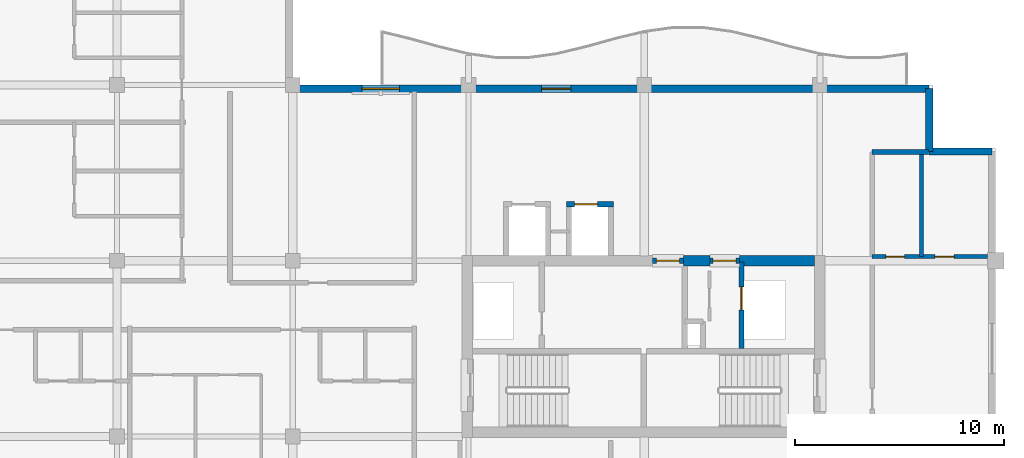
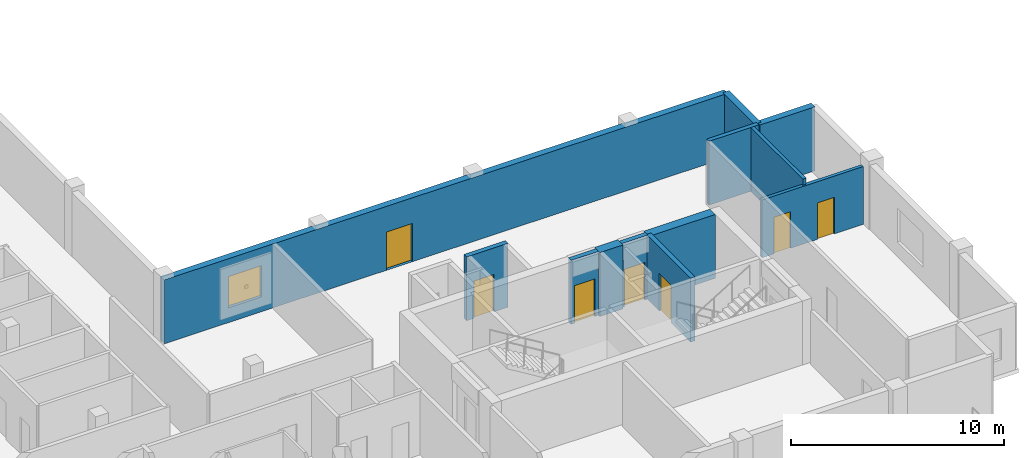
# One storey, part 5 of 12: 12 walls, 7 doors, 1 window, 8 openings.
"""IFC4 building model written with IfcOpenShell, lengths in metres."""

from ifc_helpers import new_model, si_unit, direction, frame, frame_2d, origin, place, context, subcontext, project, spatial, rectangle, extrude, material, layer, layer_set, type_object, element, fill, save


model = new_model("IFC4")

# Units and contexts
model_context = context("Model", 3, precision=1e-05, world=origin(), true_north=direction((0.0, 1.0)))
body_context = subcontext(model_context, "Body", "Model", "MODEL_VIEW")
ifc_project = project(units=[si_unit("LENGTHUNIT", "METRE"), si_unit("AREAUNIT", "SQUARE_METRE"), si_unit("VOLUMEUNIT", "CUBIC_METRE"), si_unit("PLANEANGLEUNIT", "RADIAN"), si_unit("MASSUNIT", "GRAM", prefix="KILO")], contexts=[model_context])

# Site, building, storey
site_placement = place(None, origin())
site = spatial("IfcSite", under=ifc_project, at=site_placement, CompositionType="ELEMENT")
building_placement = place(site_placement, origin())
building = spatial("IfcBuilding", under=site, at=building_placement, Name="Koriwani Terraces Tower", CompositionType="ELEMENT")
storey_placement = place(building_placement, frame((0.0, 0.0, 328.10009765625)))
storey = spatial("IfcBuildingStorey", under=building, at=storey_placement, Name="L81", CompositionType="ELEMENT", Elevation=328.10009765625)

# Walls
ifc_material_1 = material(Name="Concrete C50/60", Category="concrete")
ifc_layer_1 = layer(ifc_material_1, 0.5, Name="Concrete C50/60")
ifc_layer_set_1 = layer_set([ifc_layer_1], Name="Concrete C50/60")
wall_type_1 = type_object("IfcWallType", Name="WALL_CORE_RC_500", PredefinedType="SHEAR", material=ifc_layer_set_1)
wall_1_placement = place(storey_placement, frame((52.280029296875, 25.199951171875, 0.0), z_axis=(0.0, 0.0, 1.0), x_axis=(1.0, 0.0, 0.0)))
element("IfcWall", 1, at=wall_1_placement, inside=storey, type_object=wall_type_1, Name="L81 East Split Core Shear Wall N2", PredefinedType="SHEAR", context=body_context, shape_type="SweptSolid", body=[
    extrude(rectangle(XDim=1.27001953125, YDim=0.5, at=frame_2d((0.635009765625, 0.0))), origin(), (0.0, 0.0, 1.0), 3.669921875),
])
wall_2_placement = place(storey_placement, frame((54.949951171875, 25.199951171875, 0.0), z_axis=(0.0, 0.0, 1.0), x_axis=(1.0, 0.0, 0.0)))
element("IfcWall", 2, at=wall_2_placement, inside=storey, type_object=wall_type_1, Name="L81 East Split Core Shear Wall N3", PredefinedType="SHEAR", context=body_context, shape_type="SweptSolid", body=[
    extrude(rectangle(XDim=3.60009765625, YDim=0.5, at=frame_2d((1.800048828125, 0.0))), origin(), (0.0, 0.0, 1.0), 3.669921875),
])
ifc_material_2 = material(Name="Autoclaved Cellular Concrete Blockwork", Category="masonry")
ifc_layer_2 = layer(ifc_material_2, 0.219970703125, Name="Autoclaved Cellular Concrete Blockwork")
ifc_layer_set_2 = layer_set([ifc_layer_2], Name="Autoclaved Cellular Concrete Blockwork")
wall_type_2 = type_object("IfcWallType", Name="WALL_DEMISING_220", PredefinedType="PARTITIONING", material=ifc_layer_set_2)
wall_3_placement = place(storey_placement, frame((61.300048828125, 30.39990234375, 0.0), z_axis=(0.0, 0.0, 1.0), x_axis=(1.0, 0.0, 0.0)))
element("IfcWall", 3, at=wall_3_placement, inside=storey, type_object=wall_type_2, Name="L81 Interior Wall WET-N-L81", PredefinedType="PARTITIONING", context=body_context, shape_type="SweptSolid", body=[
    extrude(rectangle(XDim=2.699951171875, YDim=0.219970703125, at=frame_2d((1.35009765625, 0.0))), origin(), (0.0, 0.0, 1.0), 3.669921875),
])

# Wall, openings, door, window
ifc_layer_3 = layer(ifc_material_1, 0.35009765625, Name="Concrete C50/60")
ifc_layer_set_3 = layer_set([ifc_layer_3], Name="Concrete C50/60")
wall_type_3 = type_object("IfcWallType", Name="WALL_EXT_BRUTALIST_350", PredefinedType="STANDARD", material=ifc_layer_set_3)
wall_4_placement = place(storey_placement, frame((33.425048828125, 33.425048828125, 0.0), z_axis=(0.0, 0.0, 1.0), x_axis=(1.0, 0.0, 0.0)))
wall_4 = element("IfcWall", 4, at=wall_4_placement, inside=storey, type_object=wall_type_3, Name="L81 Fair-Faced Brutalist Exterior Wall (NE)", PredefinedType="STANDARD", context=body_context, shape_type="SweptSolid", body=[
    extrude(rectangle(XDim=30.599853515625, YDim=0.35009765625, at=frame_2d((15.2998046875, 0.0))), origin(), (0.0, 0.0, 1.0), 3.669921875),
])
opening_1_placement = place(wall_4_placement, frame((12.074951171875, 0.0, 0.0)))
opening_1 = element("IfcOpeningElement", 5, at=opening_1_placement, cuts=wall_4, Name="Opening D-09", PredefinedType="OPENING", context=body_context, shape_type="SweptSolid", body=[
    extrude(rectangle(XDim=1.39990234375, YDim=2.199951171875, at=frame_2d((0.699951171875, 1.10009765625))), frame((0.0, 0.18505859375, 0.0), z_axis=(0.0, -1.0, 0.0), x_axis=(1.0, 0.0, 0.0)), (0.0, 0.0, 1.0), 0.3701171875),
])
opening_2_placement = place(wall_4_placement, frame((3.47509765625, 0.0, 0.85009765625)))
opening_2 = element("IfcOpeningElement", 6, at=opening_2_placement, cuts=wall_4, Name="Opening W-04", PredefinedType="OPENING", context=body_context, shape_type="SweptSolid", body=[
    extrude(rectangle(XDim=1.800048828125, YDim=1.800048828125, at=frame_2d((0.89990234375, 0.89990234375))), frame((0.0, 0.18505859375, 0.0), z_axis=(0.0, -1.0, 0.0), x_axis=(1.0, 0.0, 0.0)), (0.0, 0.0, 1.0), 0.3701171875),
])
ifc_material_3 = material(Name="Anodised Bronze Aluminium", Category="aluminium")
door_type_1 = type_object("IfcDoorType", Name="DOOR_BALCONY_GLAZED_1400X2200", OperationType="NOTDEFINED", PredefinedType="DOOR", material=ifc_material_3)
door_1_placement = place(opening_1_placement, origin())
door_1 = element("IfcDoor", 7, at=door_1_placement, inside=storey, type_object=door_type_1, Name="L81 Inner Court Balcony Glazed Door", OperationType="SINGLE_SWING_LEFT", OverallHeight=2.199951171875, OverallWidth=1.39990234375, PredefinedType="DOOR", context=body_context, shape_type="SweptSolid", body=[
    extrude(rectangle(XDim=1.39990234375, YDim=2.199951171875, at=frame_2d((0.699951171875, 1.10009765625))), frame((0.0, 0.02490234375, 0.0), z_axis=(0.0, -1.0, 0.0), x_axis=(1.0, 0.0, 0.0)), (0.0, 0.0, 1.0), 0.050048828125),
])
fill(opening_1, door_1)
ifc_material_4 = material(Name="Tempered Laminated Low-E Glass", Category="glass")
window_type = type_object("IfcWindowType", Name="WIN_RES_BED_1800X1800", PartitioningType="DOUBLE_PANEL_VERTICAL", PredefinedType="WINDOW", material=ifc_material_4)
window_placement = place(opening_2_placement, origin())
window = element("IfcWindow", 8, at=window_placement, inside=storey, type_object=window_type, Name="L81 Exterior Window (NE-2)", OverallHeight=1.800048828125, OverallWidth=1.800048828125, PartitioningType="SINGLE_PANEL", PredefinedType="WINDOW", context=body_context, shape_type="SweptSolid", body=[
    extrude(rectangle(XDim=1.800048828125, YDim=1.800048828125, at=frame_2d((0.89990234375, 0.89990234375))), frame((0.0, 0.030029296875, 0.0), z_axis=(0.0, -1.0, 0.0), x_axis=(1.0, 0.0, 0.0)), (0.0, 0.0, 1.0), 0.06005859375),
])
fill(opening_2, window)

# Walls
for number, where, z_axis, x_axis, name in (
    (9, (64.02490234375, 33.425048828125, 0.0), (0.0, 0.0, 1.0), (0.0, -1.0, 0.0), "L81 Fair-Faced Brutalist Exterior Wall (N10)"),
    (10, (64.02490234375, 30.425048828125, 0.0), (0.0, 0.0, 1.0), (1.0, 0.0, 0.0), "L81 Fair-Faced Brutalist Exterior Wall (N11)"),
):
    element("IfcWall", number, at=place(storey_placement, frame(where, z_axis=z_axis, x_axis=x_axis)), inside=storey, type_object=wall_type_3, Name=name, PredefinedType="STANDARD", context=body_context, shape_type="SweptSolid", body=[
        extrude(rectangle(XDim=3.0, YDim=0.35009765625, at=frame_2d((1.5, 0.0))), origin(), (0.0, 0.0, 1.0), 3.669921875),
    ])

# Wall, openings, doors
ifc_material_5 = material(Name="Fire-Rated Acoustic Gypsum Partition", Category="masonry")
ifc_layer_4 = layer(ifc_material_5, 0.179931640625, Name="Fire-Rated Acoustic Gypsum Partition")
ifc_layer_set_4 = layer_set([ifc_layer_4], Name="Fire-Rated Acoustic Gypsum Partition")
wall_type_4 = type_object("IfcWallType", Name="WALL_PLUMBING_180", PredefinedType="PLUMBINGWALL", material=ifc_layer_set_4)
wall_5_placement = place(storey_placement, frame((61.300048828125, 25.39990234375, 0.0), z_axis=(0.0, 0.0, 1.0), x_axis=(1.0, 0.0, 0.0)))
wall_5 = element("IfcWall", 11, at=wall_5_placement, inside=storey, type_object=wall_type_4, Name="L81 Interior Wall WET-SVB-L81", PredefinedType="PLUMBINGWALL", context=body_context, shape_type="SweptSolid", body=[
    extrude(rectangle(XDim=5.5, YDim=0.179931640625, at=frame_2d((2.75, 0.0))), origin(), (0.0, 0.0, 1.0), 3.31591796875),
])
opening_3_placement = place(wall_5_placement, frame((0.64990234375, 0.0, 0.0)))
opening_3 = element("IfcOpeningElement", 12, at=opening_3_placement, cuts=wall_5, Name="Opening D-07", PredefinedType="OPENING", context=body_context, shape_type="SweptSolid", body=[
    extrude(rectangle(XDim=0.89990234375, YDim=2.10009765625, at=frame_2d((0.449951171875, 1.050048828125))), frame((0.0, 0.10009765625, 0.0), z_axis=(0.0, -1.0, 0.0), x_axis=(1.0, 0.0, 0.0)), (0.0, 0.0, 1.0), 0.199951171875),
])
opening_4_placement = place(wall_5_placement, frame((3.0, 0.0, 0.0)))
opening_4 = element("IfcOpeningElement", 13, at=opening_4_placement, cuts=wall_5, Name="Opening D-06", PredefinedType="OPENING", context=body_context, shape_type="SweptSolid", body=[
    extrude(rectangle(XDim=0.919921875, YDim=2.10009765625, at=frame_2d((0.4599609375, 1.050048828125))), frame((0.0, 0.10009765625, 0.0), z_axis=(0.0, -1.0, 0.0), x_axis=(1.0, 0.0, 0.0)), (0.0, 0.0, 1.0), 0.199951171875),
])
ifc_material_6 = material(Name="Architectural Oak Fire Door", Category="wood")
door_type_2 = type_object("IfcDoorType", Name="DOOR_BATH_INT_900X2100", OperationType="NOTDEFINED", PredefinedType="DOOR", material=ifc_material_6)
door_2_placement = place(opening_3_placement, origin())
door_2 = element("IfcDoor", 14, at=door_2_placement, inside=storey, type_object=door_type_2, Name="Apartment 81ET Bathroom Door", OperationType="SINGLE_SWING_RIGHT", OverallHeight=2.10009765625, OverallWidth=0.89990234375, PredefinedType="DOOR", context=body_context, shape_type="SweptSolid", body=[
    extrude(rectangle(XDim=0.89990234375, YDim=2.10009765625, at=frame_2d((0.449951171875, 1.050048828125))), frame((0.0, 0.02490234375, 0.0), z_axis=(0.0, -1.0, 0.0), x_axis=(1.0, 0.0, 0.0)), (0.0, 0.0, 1.0), 0.050048828125),
])
fill(opening_3, door_2)
door_type_3 = type_object("IfcDoorType", Name="DOOR_ROOM_INT_920X2100", OperationType="NOTDEFINED", PredefinedType="DOOR", material=ifc_material_6)
door_3_placement = place(opening_4_placement, origin())
door_3 = element("IfcDoor", 15, at=door_3_placement, inside=storey, type_object=door_type_3, Name="Apartment 81ET Kitchen Door", OperationType="SINGLE_SWING_LEFT", OverallHeight=2.10009765625, OverallWidth=0.919921875, PredefinedType="DOOR", context=body_context, shape_type="SweptSolid", body=[
    extrude(rectangle(XDim=0.919921875, YDim=2.10009765625, at=frame_2d((0.4599609375, 1.050048828125))), frame((0.0, 0.02490234375, 0.0), z_axis=(0.0, -1.0, 0.0), x_axis=(1.0, 0.0, 0.0)), (0.0, 0.0, 1.0), 0.050048828125),
])
fill(opening_4, door_3)

# Wall
wall_6_placement = place(storey_placement, frame((63.64990234375, 25.39990234375, 0.0), z_axis=(0.0, 0.0, 1.0), x_axis=(0.0, 1.0, 0.0)))
element("IfcWall", 16, at=wall_6_placement, inside=storey, type_object=wall_type_4, Name="L81 Interior Wall WET-SVCM-L81", PredefinedType="PLUMBINGWALL", context=body_context, shape_type="SweptSolid", body=[
    extrude(rectangle(XDim=5.0, YDim=0.179931640625, at=frame_2d((2.5, 0.0))), origin(), (0.0, 0.0, 1.0), 3.669921875),
])

# Wall, opening, door
ifc_material_7 = material(Name="Concrete C40/50", Category="concrete")
ifc_layer_5 = layer(ifc_material_7, 0.25, Name="Concrete C40/50")
ifc_layer_set_5 = layer_set([ifc_layer_5], Name="Concrete C40/50")
wall_type_5 = type_object("IfcWallType", Name="WALL_SHAFT_RATED_250", PredefinedType="SOLIDWALL", material=ifc_layer_set_5)
wall_7_placement = place(storey_placement, frame((50.800048828125, 25.199951171875, 0.0), z_axis=(0.0, 0.0, 1.0), x_axis=(1.0, 0.0, 0.0)))
wall_7 = element("IfcWall", 17, at=wall_7_placement, inside=storey, type_object=wall_type_5, Name="L81 Interior Wall WIN-CE-L81-NP", PredefinedType="SOLIDWALL", context=body_context, shape_type="SweptSolid", body=[
    extrude(rectangle(XDim=1.47998046875, YDim=0.25, at=frame_2d((0.739990234375, 0.0))), origin(), (0.0, 0.0, 1.0), 3.669921875),
])
opening_5_placement = place(wall_7_placement, frame((0.179931640625, 0.0, 0.0)))
opening_5 = element("IfcOpeningElement", 18, at=opening_5_placement, cuts=wall_7, Name="Opening D-03", PredefinedType="OPENING", context=body_context, shape_type="SweptSolid", body=[
    extrude(rectangle(XDim=1.10009765625, YDim=2.14990234375, at=frame_2d((0.550048828125, 1.074951171875))), frame((0.0, 0.135009765625, 0.0), z_axis=(0.0, -1.0, 0.0), x_axis=(1.0, 0.0, 0.0)), (0.0, 0.0, 1.0), 0.27001953125),
])
ifc_material_8 = material(Name="Steel ASTM A572 Grade 50", Category="steel")
door_type_4 = type_object("IfcDoorType", Name="DOOR_STAIR_FIRE_1100X2150", OperationType="NOTDEFINED", PredefinedType="DOOR", material=ifc_material_8)
door_4_placement = place(opening_5_placement, origin())
door_4 = element("IfcDoor", 19, at=door_4_placement, inside=storey, type_object=door_type_4, Name="L81 East Firefighting Lobby Door", OperationType="SINGLE_SWING_RIGHT", OverallHeight=2.14990234375, OverallWidth=1.10009765625, PredefinedType="DOOR", context=body_context, shape_type="SweptSolid", body=[
    extrude(rectangle(XDim=1.10009765625, YDim=2.14990234375, at=frame_2d((0.550048828125, 1.074951171875))), frame((0.0, 0.02490234375, 0.0), z_axis=(0.0, -1.0, 0.0), x_axis=(1.0, 0.0, 0.0)), (0.0, 0.0, 1.0), 0.050048828125),
])
fill(opening_5, door_4)

wall_8_placement = place(storey_placement, frame((55.050048828125, 21.0, 0.0), z_axis=(0.0, 0.0, 1.0), x_axis=(0.0, 1.0, 0.0)))
wall_8 = element("IfcWall", 20, at=wall_8_placement, inside=storey, type_object=wall_type_5, Name="L81 Interior Wall WIN-CE-L81-SE", PredefinedType="SOLIDWALL", context=body_context, shape_type="SweptSolid", body=[
    extrude(rectangle(XDim=4.14990234375, YDim=0.25, at=frame_2d((2.074951171875, 0.0))), origin(), (0.0, 0.0, 1.0), 3.669921875),
])
opening_6_placement = place(wall_8_placement, frame((1.85009765625, 0.0, 0.0)))
opening_6 = element("IfcOpeningElement", 21, at=opening_6_placement, cuts=wall_8, Name="Opening LD-01", PredefinedType="OPENING", context=body_context, shape_type="SweptSolid", body=[
    extrude(rectangle(XDim=1.10009765625, YDim=2.14990234375, at=frame_2d((0.550048828125, 1.074951171875))), frame((0.0, 0.135009765625, 0.0), z_axis=(0.0, -1.0, 0.0), x_axis=(1.0, 0.0, 0.0)), (0.0, 0.0, 1.0), 0.27001953125),
])
door_type_5 = type_object("IfcDoorType", Name="DOOR_LIFT_LANDING_1100X2200", OperationType="NOTDEFINED", PredefinedType="DOOR", material=ifc_material_8)
door_5_placement = place(opening_6_placement, origin())
door_5 = element("IfcDoor", 22, at=door_5_placement, inside=storey, type_object=door_type_5, Name="L81 Goods Lift SE-02 Landing Door", OperationType="SLIDING_TO_LEFT", OverallHeight=2.14990234375, OverallWidth=1.10009765625, PredefinedType="DOOR", context=body_context, shape_type="SweptSolid", body=[
    extrude(rectangle(XDim=1.10009765625, YDim=2.14990234375, at=frame_2d((0.550048828125, 1.074951171875))), frame((0.0, 0.02490234375, 0.0), z_axis=(0.0, -1.0, 0.0), x_axis=(1.0, 0.0, 0.0)), (0.0, 0.0, 1.0), 0.050048828125),
])
fill(opening_6, door_5)

wall_9_placement = place(storey_placement, frame((53.550048828125, 25.199951171875, 0.0), z_axis=(0.0, 0.0, 1.0), x_axis=(1.0, 0.0, 0.0)))
wall_9 = element("IfcWall", 23, at=wall_9_placement, inside=storey, type_object=wall_type_5, Name="L81 Interior Wall WIN-CE-L81-NP2", PredefinedType="SOLIDWALL", context=body_context, shape_type="SweptSolid", body=[
    extrude(rectangle(XDim=1.39990234375, YDim=0.25, at=frame_2d((0.699951171875, 0.0))), origin(), (0.0, 0.0, 1.0), 3.669921875),
])
opening_7_placement = place(wall_9_placement, frame((0.14990234375, 0.0, 0.0)))
opening_7 = element("IfcOpeningElement", 24, at=opening_7_placement, cuts=wall_9, Name="Opening D-03", PredefinedType="OPENING", context=body_context, shape_type="SweptSolid", body=[
    extrude(rectangle(XDim=1.10009765625, YDim=2.14990234375, at=frame_2d((0.550048828125, 1.074951171875))), frame((0.0, 0.135009765625, 0.0), z_axis=(0.0, -1.0, 0.0), x_axis=(1.0, 0.0, 0.0)), (0.0, 0.0, 1.0), 0.27001953125),
])
door_6_placement = place(opening_7_placement, origin())
door_6 = element("IfcDoor", 25, at=door_6_placement, inside=storey, type_object=door_type_4, Name="L81 East Goods Lift Lobby Door", OperationType="SINGLE_SWING_LEFT", OverallHeight=2.14990234375, OverallWidth=1.10009765625, PredefinedType="DOOR", context=body_context, shape_type="SweptSolid", body=[
    extrude(rectangle(XDim=1.10009765625, YDim=2.14990234375, at=frame_2d((0.550048828125, 1.074951171875))), frame((0.0, 0.02490234375, 0.0), z_axis=(0.0, -1.0, 0.0), x_axis=(1.0, 0.0, 0.0)), (0.0, 0.0, 1.0), 0.050048828125),
])
fill(opening_7, door_6)

wall_10_placement = place(storey_placement, frame((46.675048828125, 27.89990234375, 0.0), z_axis=(0.0, 0.0, 1.0), x_axis=(1.0, 0.0, 0.0)))
wall_10 = element("IfcWall", 26, at=wall_10_placement, inside=storey, type_object=wall_type_5, Name="L81 Interior Wall WIN-LF-PE-H4-L81-F", PredefinedType="SOLIDWALL", context=body_context, shape_type="SweptSolid", body=[
    extrude(rectangle(XDim=2.25, YDim=0.25, at=frame_2d((1.125, 0.0))), origin(), (0.0, 0.0, 1.0), 3.669921875),
])
opening_8_placement = place(wall_10_placement, frame((0.39990234375, 0.0, 0.0)))
opening_8 = element("IfcOpeningElement", 27, at=opening_8_placement, cuts=wall_10, Name="Opening LD-01", PredefinedType="OPENING", context=body_context, shape_type="SweptSolid", body=[
    extrude(rectangle(XDim=1.10009765625, YDim=2.14990234375, at=frame_2d((0.550048828125, 1.074951171875))), frame((0.0, 0.135009765625, 0.0), z_axis=(0.0, -1.0, 0.0), x_axis=(1.0, 0.0, 0.0)), (0.0, 0.0, 1.0), 0.27001953125),
])
door_7_placement = place(opening_8_placement, origin())
door_7 = element("IfcDoor", 28, at=door_7_placement, inside=storey, type_object=door_type_5, Name="L81 Passenger Lift PE-H4 Landing Door", OperationType="SLIDING_TO_LEFT", OverallHeight=2.14990234375, OverallWidth=1.10009765625, PredefinedType="DOOR", context=body_context, shape_type="SweptSolid", body=[
    extrude(rectangle(XDim=1.10009765625, YDim=2.14990234375, at=frame_2d((0.550048828125, 1.074951171875))), frame((0.0, 0.02490234375, 0.0), z_axis=(0.0, -1.0, 0.0), x_axis=(1.0, 0.0, 0.0)), (0.0, 0.0, 1.0), 0.050048828125),
])
fill(opening_8, door_7)

save(model, "model.ifc")
